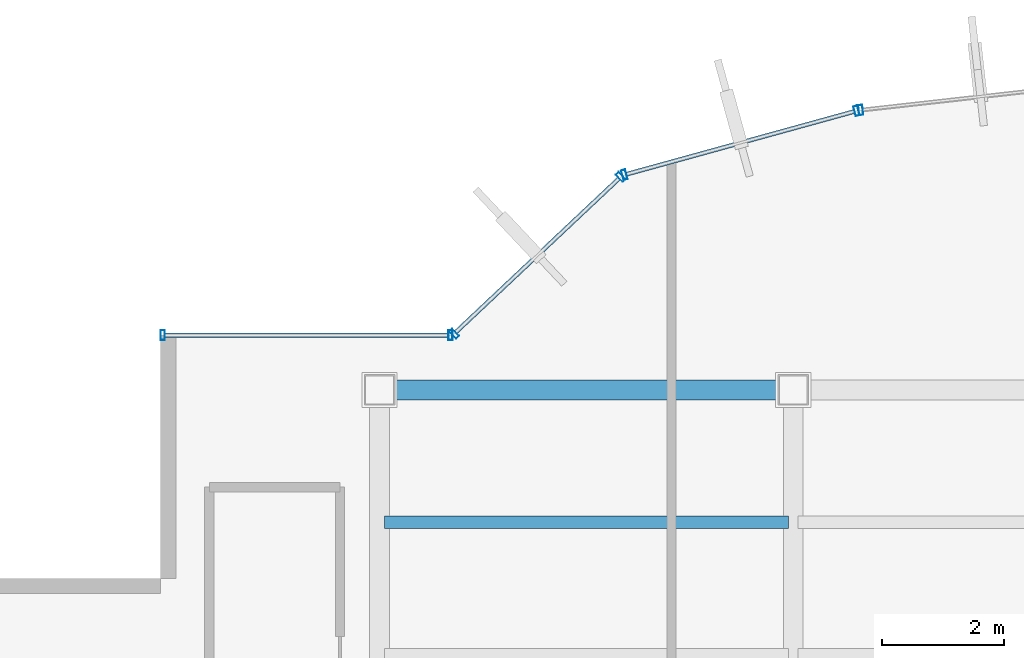
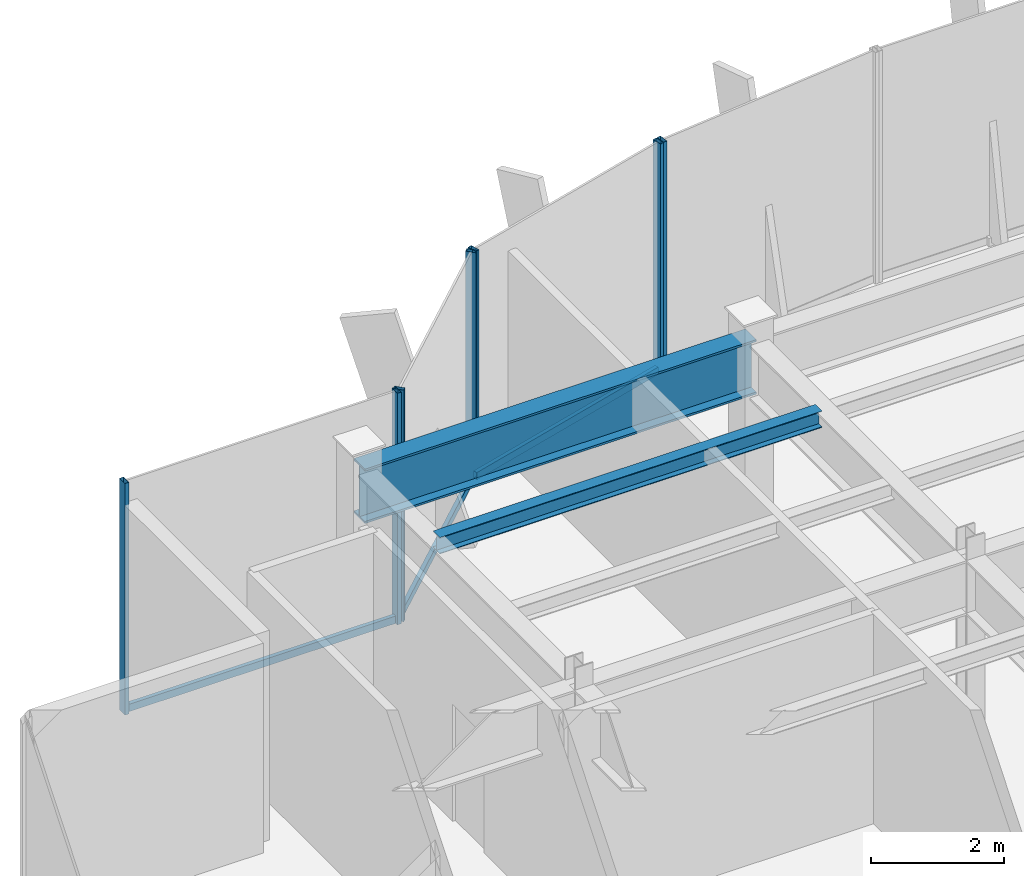
# One storey, part 14 of 24: 10 members, 2 beams, 4 elements without a shape of their own.
"""IFC4 building model written with IfcOpenShell, lengths in metres."""

from ifc_helpers import new_model, si_unit, derived_unit, direction, frame, origin, origin_2d, place, context, subcontext, project, spatial, hollow_rectangle, i_section, extrude, source, transform, mapped, material, material_profile, profile_set, type_object, element, aggregate, save


model = new_model("IFC4")

# Units and contexts
model_context = context("Model", 3, precision=1e-05, world=origin(), true_north=direction((0.0, 1.0)))
body_context = subcontext(model_context, "Body", "Model", "MODEL_VIEW")
ifc_project = project(units=[si_unit("LENGTHUNIT", "METRE"), si_unit("AREAUNIT", "SQUARE_METRE"), si_unit("VOLUMEUNIT", "CUBIC_METRE"), si_unit("PLANEANGLEUNIT", "RADIAN"), si_unit("MASSUNIT", "GRAM", prefix="KILO"), derived_unit("THERMALTRANSMITTANCEUNIT", [(si_unit("POWERUNIT", "WATT"), 1), (si_unit("LENGTHUNIT", "METRE"), -2), (si_unit("THERMODYNAMICTEMPERATUREUNIT", "KELVIN"), -1)])], contexts=[model_context])

# Site, building, storey
site_placement = place(None, origin())
site = spatial("IfcSite", under=ifc_project, at=site_placement, CompositionType="ELEMENT")
building_placement = place(site_placement, origin())
building = spatial("IfcBuilding", under=site, at=building_placement, Name="Skarnbrae Concourse Arena and Tower", CompositionType="ELEMENT")
storey_placement = place(building_placement, frame((0.0, 0.0, 288.0)))
storey = spatial("IfcBuildingStorey", under=building, at=storey_placement, Name="L75", CompositionType="ELEMENT", Elevation=288.0)

# Beams
ifc_material_1 = material(Name="Steel CSA G40.21 350W", Category="steel")
ifc_material_profile_1 = material_profile(ifc_material_1, i_section(OverallWidth=0.327880859375, OverallDepth=1.0, WebThickness=0.02099609375, FlangeThickness=0.03759765625, at=origin_2d()), Name="W1000X371")
ifc_profile_set_1 = profile_set([ifc_material_profile_1], Name="Steel CSA G40.21 350W")
beam_type_1 = type_object("IfcBeamType", Name="BM-XFER-W1000X371", PredefinedType="BEAM", material=ifc_profile_set_1)
shared_shape_1 = source(origin(), body_context, "Body", "SweptSolid", [
    extrude(i_section(OverallWidth=0.327880859375, OverallDepth=1.0, WebThickness=0.02099609375, FlangeThickness=0.03759765625, at=origin_2d()), origin(), (0.0, 0.0, 1.0), 6.7998046875),
])
beam_1_placement = place(storey_placement, frame((7.60009765625, 34.39990234375, 3.35009765625), z_axis=(1.0, 0.0, 0.0), x_axis=(0.0, 1.0, 0.0)))
element("IfcBeam", 1, at=beam_1_placement, inside=storey, type_object=beam_type_1, Name="L75 Perimeter spandrel Y34.4-1", PredefinedType="BEAM", context=body_context, shape_type="MappedRepresentation", body=[
    mapped(shared_shape_1, transform((0.0, 0.0, 0.0))),
])
ifc_material_profile_2 = material_profile(ifc_material_1, i_section(OverallWidth=0.202880859375, OverallDepth=0.302978515625, WebThickness=0.007568359375, FlangeThickness=0.01318359375, at=origin_2d()), Name="W310X60")
ifc_profile_set_2 = profile_set([ifc_material_profile_2], Name="Steel CSA G40.21 350W")
beam_type_2 = type_object("IfcBeamType", Name="BM-JOIST-W310X60", PredefinedType="JOIST", material=ifc_profile_set_2)
shared_shape_2 = source(origin(), body_context, "Body", "SweptSolid", [
    extrude(i_section(OverallWidth=0.202880859375, OverallDepth=0.302978515625, WebThickness=0.007568359375, FlangeThickness=0.01318359375, at=origin_2d()), origin(), (0.0, 0.0, 1.0), 6.64013671875),
])
beam_2_placement = place(storey_placement, frame((7.679931640625, 32.221923828125, 3.698486328125), z_axis=(1.0, 0.0, 0.0), x_axis=(0.0, 1.0, 0.0)))
element("IfcBeam", 2, at=beam_2_placement, inside=storey, type_object=beam_type_2, Name="L75 Secondary floor joist 3.2.1", PredefinedType="JOIST", context=body_context, shape_type="MappedRepresentation", body=[
    mapped(shared_shape_2, transform((0.0, 0.0, 0.0))),
])

# Curtain wall, member
ifc_material_2 = material(Name="Bronze anodised aluminium 6063-T6", Category="aluminium")
curtain_wall_type = type_object("IfcCurtainWallType", Name="CW-SYS-06-SKYLOBBY", PredefinedType="USERDEFINED", material=ifc_material_2)
curtain_wall_1_placement = place(storey_placement, origin())
curtain_wall_1 = element("IfcCurtainWall", 3, at=curtain_wall_1_placement, inside=storey, type_object=curtain_wall_type, Name="L75 Unitised curtain wall CW-L75-E15", ObjectType="UNITISED CURTAIN WALL", PredefinedType="USERDEFINED")
ifc_material_profile_3 = material_profile(ifc_material_2, hollow_rectangle(XDim=0.070068359375, YDim=0.135009765625, WallThickness=0.00390625, at=origin_2d()), Name="ALU-TRAN-70X135")
ifc_profile_set_3 = profile_set([ifc_material_profile_3], Name="Bronze anodised aluminium 6063-T6")
member_type_1 = type_object("IfcMemberType", Name="CWT-CW-06", PredefinedType="USERDEFINED", material=ifc_profile_set_3)
shared_shape_3 = source(origin(), body_context, "Body", "SweptSolid", [
    extrude(hollow_rectangle(XDim=0.070068359375, YDim=0.135009765625, WallThickness=0.00390625, at=origin_2d()), origin(), (0.0, 0.0, 1.0), 4.659912109375),
])
member_1_placement = place(storey_placement, frame((8.72998046875, 35.300048828125, 0.0673828125), z_axis=(-1.0, 0.0, 0.0), x_axis=(0.0, -1.0, 0.0)))
member_1 = element("IfcMember", 4, at=member_1_placement, type_object=member_type_1, Name="CW-L75-E15 Transom 1", ObjectType="TRANSOM", PredefinedType="USERDEFINED", context=body_context, shape_type="MappedRepresentation", body=[
    mapped(shared_shape_3, transform((0.0, 0.0, 0.0))),
])

curtain_wall_2_placement = place(storey_placement, origin())
curtain_wall_2 = element("IfcCurtainWall", 5, at=curtain_wall_2_placement, inside=storey, type_object=curtain_wall_type, Name="L75 Unitised curtain wall CW-L75-E12", ObjectType="UNITISED CURTAIN WALL", PredefinedType="USERDEFINED")
ifc_material_profile_4 = material_profile(ifc_material_2, hollow_rectangle(XDim=0.070068359375, YDim=0.1650390625, WallThickness=0.00390625, at=origin_2d()), Name="ALU-MULL-70X165")
ifc_profile_set_4 = profile_set([ifc_material_profile_4], Name="Bronze anodised aluminium 6063-T6")
member_type_2 = type_object("IfcMemberType", Name="CWM-CW-06", PredefinedType="MULLION", material=ifc_profile_set_4)
shared_shape_4 = source(origin(), body_context, "Body", "SweptSolid", [
    extrude(hollow_rectangle(XDim=0.070068359375, YDim=0.1650390625, WallThickness=0.00390625, at=origin_2d()), origin(), (0.0, 0.0, 1.0), 4.25),
])
member_2_placement = place(storey_placement, frame((15.509033203125, 39.0009765625, 0.0), z_axis=(0.0, 0.0, 1.0), x_axis=(-0.993768891873, -0.111460259941, 0.0)))
member_2 = element("IfcMember", 6, at=member_2_placement, type_object=member_type_2, Name="CW-L75-E12 Mullion 2", PredefinedType="MULLION", context=body_context, shape_type="MappedRepresentation", body=[
    mapped(shared_shape_4, transform((0.0, 0.0, 0.0))),
])
aggregate(curtain_wall_2, [member_2])

# Curtain wall, members
curtain_wall_3_placement = place(storey_placement, origin())
curtain_wall_3 = element("IfcCurtainWall", 7, at=curtain_wall_3_placement, inside=storey, type_object=curtain_wall_type, Name="L75 Unitised curtain wall CW-L75-E13", ObjectType="UNITISED CURTAIN WALL", PredefinedType="USERDEFINED")
member_3_placement = place(storey_placement, frame((15.4404296875, 38.98779296875, 0.0), z_axis=(0.0, 0.0, 1.0), x_axis=(-0.964057388766, -0.265694093207, 0.0)))
member_3 = element("IfcMember", 8, at=member_3_placement, type_object=member_type_2, Name="CW-L75-E13 Mullion 1", PredefinedType="MULLION", context=body_context, shape_type="MappedRepresentation", body=[
    mapped(shared_shape_4, transform((0.0, 0.0, 0.0))),
])
member_4_placement = place(storey_placement, frame((11.6240234375, 37.93603515625, 0.0), z_axis=(0.0, 0.0, 1.0), x_axis=(-0.964057388766, -0.265694093207, 0.0)))
member_4 = element("IfcMember", 9, at=member_4_placement, type_object=member_type_2, Name="CW-L75-E13 Mullion 2", PredefinedType="MULLION", context=body_context, shape_type="MappedRepresentation", body=[
    mapped(shared_shape_4, transform((0.0, 0.0, 0.0))),
])

curtain_wall_4_placement = place(storey_placement, origin())
curtain_wall_4 = element("IfcCurtainWall", 10, at=curtain_wall_4_placement, inside=storey, type_object=curtain_wall_type, Name="L75 Unitised curtain wall CW-L75-E14", ObjectType="UNITISED CURTAIN WALL", PredefinedType="USERDEFINED")
member_5_placement = place(storey_placement, frame((11.564697265625, 37.902587890625, 0.0), z_axis=(0.0, 0.0, 1.0), x_axis=(-0.728130555214, -0.685438468838, 0.0)))
member_5 = element("IfcMember", 11, at=member_5_placement, type_object=member_type_2, Name="CW-L75-E14 Mullion 1", PredefinedType="MULLION", context=body_context, shape_type="MappedRepresentation", body=[
    mapped(shared_shape_4, transform((0.0, 0.0, 0.0))),
])
member_6_placement = place(storey_placement, frame((8.825439453125, 35.323974609375, 0.0), z_axis=(0.0, 0.0, 1.0), x_axis=(-0.728130555214, -0.685438468838, 0.0)))
member_6 = element("IfcMember", 12, at=member_6_placement, type_object=member_type_2, Name="CW-L75-E14 Mullion 2", PredefinedType="MULLION", context=body_context, shape_type="MappedRepresentation", body=[
    mapped(shared_shape_4, transform((0.0, 0.0, 0.0))),
])

# Member
member_7_placement = place(storey_placement, frame((8.764892578125, 35.300048828125, 0.0), z_axis=(0.0, 0.0, 1.0), x_axis=(-1.0, 0.0, 0.0)))
member_7 = element("IfcMember", 13, at=member_7_placement, type_object=member_type_2, Name="CW-L75-E15 Mullion 1", PredefinedType="MULLION", context=body_context, shape_type="MappedRepresentation", body=[
    mapped(shared_shape_4, transform((0.0, 0.0, 0.0))),
])

member_8_placement = place(storey_placement, frame((4.034912109375, 35.300048828125, 0.0), z_axis=(0.0, 0.0, 1.0), x_axis=(-1.0, 0.0, 0.0)))
member_8 = element("IfcMember", 14, at=member_8_placement, type_object=member_type_2, Name="CW-L75-E15 Mullion 2", PredefinedType="MULLION", context=body_context, shape_type="MappedRepresentation", body=[
    mapped(shared_shape_4, transform((0.0, 0.0, 0.0))),
])

aggregate(curtain_wall_1, [member_7, member_8, member_1])

shared_shape_5 = source(origin(), body_context, "Body", "SweptSolid", [
    extrude(hollow_rectangle(XDim=0.070068359375, YDim=0.135009765625, WallThickness=0.00390625, at=origin_2d()), origin(), (0.0, 0.0, 1.0), 3.692138671875),
])
member_9_placement = place(storey_placement, frame((11.539306640625, 37.878662109375, 0.0673828125), z_axis=(-0.72811068641, -0.685459574546, 0.0), x_axis=(0.685459574546, -0.72811068641, 0.0)))
member_9 = element("IfcMember", 15, at=member_9_placement, type_object=member_type_1, Name="CW-L75-E14 Transom 1", ObjectType="TRANSOM", PredefinedType="USERDEFINED", context=body_context, shape_type="MappedRepresentation", body=[
    mapped(shared_shape_5, transform((0.0, 0.0, 0.0))),
])

aggregate(curtain_wall_4, [member_5, member_6, member_9])

shared_shape_6 = source(origin(), body_context, "Body", "SweptSolid", [
    extrude(hollow_rectangle(XDim=0.070068359375, YDim=0.135009765625, WallThickness=0.00390625, at=origin_2d()), origin(), (0.0, 0.0, 1.0), 3.888671875),
])
member_10_placement = place(storey_placement, frame((15.40673828125, 38.978515625, 0.0673828125), z_axis=(-0.964059183994, -0.26568757923, 0.0), x_axis=(0.26568757923, -0.964059183994, 0.0)))
member_10 = element("IfcMember", 16, at=member_10_placement, type_object=member_type_1, Name="CW-L75-E13 Transom 1", ObjectType="TRANSOM", PredefinedType="USERDEFINED", context=body_context, shape_type="MappedRepresentation", body=[
    mapped(shared_shape_6, transform((0.0, 0.0, 0.0))),
])

aggregate(curtain_wall_3, [member_3, member_4, member_10])

save(model, "model.ifc")
